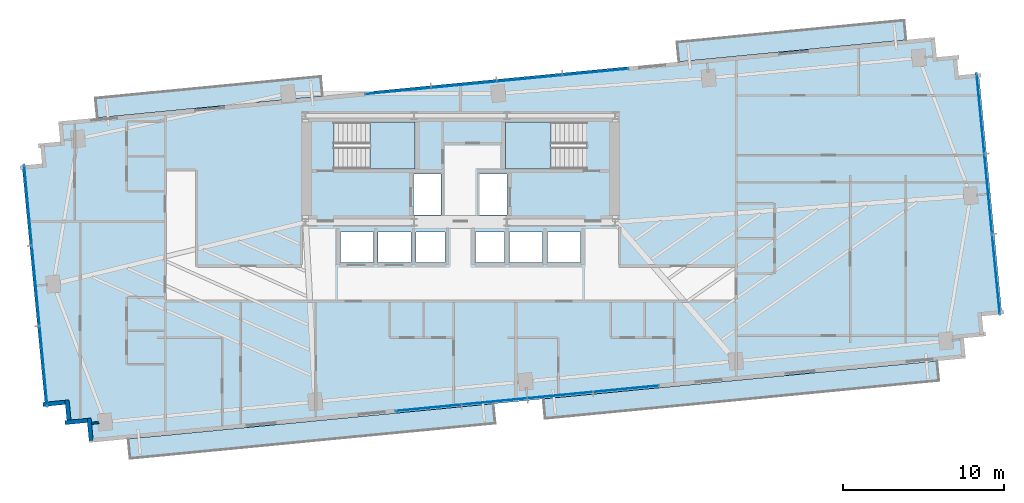
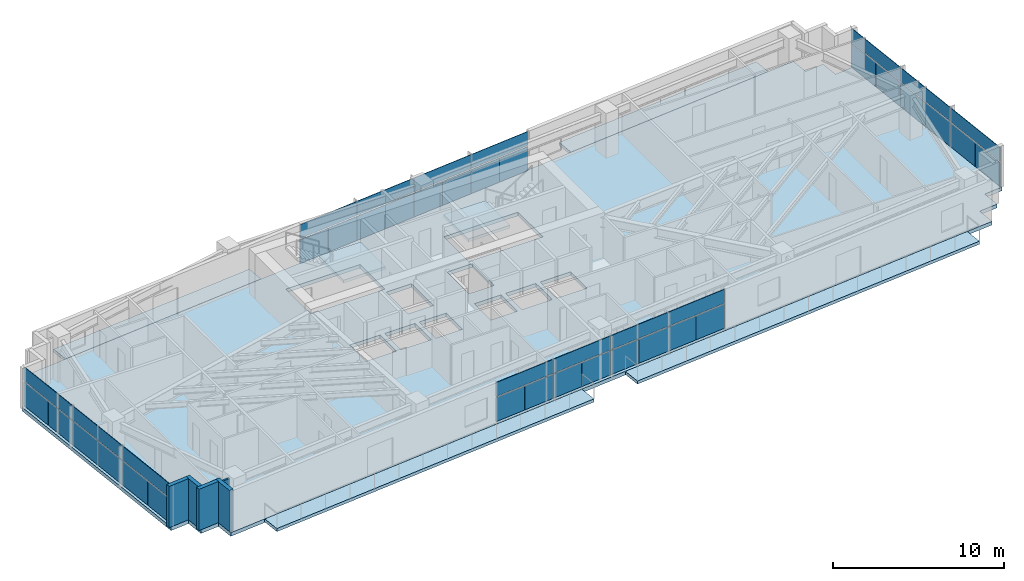
# One storey, part 20 of 27: 42 plates, 7 slabs, 5 walls, 6 elements without a shape of their own.
"""IFC4 building model written with IfcOpenShell, lengths in metres."""

from ifc_helpers import new_model, si_unit, direction, frame, frame_2d, origin, origin_2d, place, context, subcontext, project, spatial, polyline, rectangle, outline, extrude, source, transform, mapped, material, layer, layer_set, type_object, type_shapes, element, aggregate, save


model = new_model("IFC4")

# Units and contexts
model_context = context("Model", 3, precision=1e-05, world=origin(), true_north=direction((0.0, 1.0)))
body_context = subcontext(model_context, "Body", "Model", "MODEL_VIEW")
ifc_project = project(units=[si_unit("LENGTHUNIT", "METRE"), si_unit("AREAUNIT", "SQUARE_METRE"), si_unit("VOLUMEUNIT", "CUBIC_METRE"), si_unit("PLANEANGLEUNIT", "RADIAN"), si_unit("MASSUNIT", "GRAM", prefix="KILO")], contexts=[model_context])

# Site, building, storey
site_placement = place(None, origin())
site = spatial("IfcSite", under=ifc_project, at=site_placement, CompositionType="ELEMENT")
building_placement = place(site_placement, origin())
building = spatial("IfcBuilding", under=site, at=building_placement, Name="Astriad Promenade Condominiums", CompositionType="ELEMENT")
storey_placement = place(building_placement, frame((0.0, 0.0, 90.60009765625)))
storey = spatial("IfcBuildingStorey", under=building, at=storey_placement, Name="L25", CompositionType="ELEMENT", Elevation=90.60009765625)

# Slab
ifc_material_1 = material(Name="Concrete C50/60", Category="concrete")
ifc_layer_1 = layer(ifc_material_1, 0.260009765625)
ifc_layer_set_1 = layer_set([ifc_layer_1], Name="Concrete C50/60")
slab_type_1 = type_object("IfcSlabType", Name="CONCRETE TOWER FLOOR SLAB 260", PredefinedType="FLOOR", material=ifc_layer_set_1)
slab_1_placement = place(storey_placement, frame((0.0, 0.0, -0.260009765625)))
element("IfcSlab", 1, at=slab_1_placement, inside=storey, type_object=slab_type_1, Name="Structural Floor Slab (L25)", PredefinedType="FLOOR", context=body_context, shape_type="SweptSolid", body=[
    extrude(outline(polyline([(12.984130859375, 3.7294921875), (67.332763671875, 8.962646484375), (67.212890625, 10.206787109375), (68.457275390625, 10.32666015625), (68.33740234375, 11.57080078125), (69.58154296875, 11.690673828125), (68.14404296875, 26.62158203125), (66.899658203125, 26.501953125), (66.77978515625, 27.74609375), (65.53564453125, 27.626220703125), (65.416015625, 28.87060546875), (11.067138671875, 23.637451171875), (11.18701171875, 22.39306640625), (9.94287109375, 22.273193359375), (10.0625, 21.029052734375), (8.818359375, 20.9091796875), (10.256103515625, 5.978271484375), (11.500244140625, 6.09814453125), (11.6201171875, 4.85400390625), (12.8642578125, 4.9736328125), (12.984130859375, 3.7294921875)]), holes=[polyline([(28.175048828125, 20.699951171875), (33.175048828125, 20.699951171875), (33.175048828125, 23.60009765625), (28.175048828125, 23.60009765625), (28.175048828125, 20.699951171875)]), polyline([(38.824951171875, 20.699951171875), (43.824951171875, 20.699951171875), (43.824951171875, 23.60009765625), (38.824951171875, 23.60009765625), (38.824951171875, 20.699951171875)]), polyline([(33.10009765625, 17.85009765625), (34.800048828125, 17.85009765625), (34.800048828125, 20.39990234375), (33.10009765625, 20.39990234375), (33.10009765625, 17.85009765625)]), polyline([(37.199951171875, 17.85009765625), (38.89990234375, 17.85009765625), (38.89990234375, 20.39990234375), (37.199951171875, 20.39990234375), (37.199951171875, 17.85009765625)]), polyline([(28.550048828125, 14.89990234375), (30.60009765625, 14.89990234375), (30.60009765625, 16.800048828125), (28.550048828125, 16.800048828125), (28.550048828125, 14.89990234375)]), polyline([(30.89990234375, 14.89990234375), (32.949951171875, 14.89990234375), (32.949951171875, 16.800048828125), (30.89990234375, 16.800048828125), (30.89990234375, 14.89990234375)]), polyline([(33.25, 14.89990234375), (35.050048828125, 14.89990234375), (35.050048828125, 16.800048828125), (33.25, 16.800048828125), (33.25, 14.89990234375)]), polyline([(36.949951171875, 14.89990234375), (38.75, 14.89990234375), (38.75, 16.800048828125), (36.949951171875, 16.800048828125), (36.949951171875, 14.89990234375)]), polyline([(39.050048828125, 14.89990234375), (41.10009765625, 14.89990234375), (41.10009765625, 16.800048828125), (39.050048828125, 16.800048828125), (39.050048828125, 14.89990234375)]), polyline([(41.39990234375, 14.89990234375), (43.449951171875, 14.89990234375), (43.449951171875, 16.800048828125), (41.39990234375, 16.800048828125), (41.39990234375, 14.89990234375)])]), origin(), (0.0, 0.0, 1.0), 0.260009765625),
])

# Stair, slab
stair_type = type_object("IfcStairType", Name="STR-CORE-1350", PredefinedType="HALF_TURN_STAIR", material=ifc_material_1)
stair_1_placement = place(storey_placement, origin())
stair_1 = element("IfcStair", 2, at=stair_1_placement, inside=storey, type_object=stair_type, Name="L25 Enclosed Core Exit Stair ST-1", PredefinedType="HALF_TURN_STAIR")
ifc_layer_2 = layer(ifc_material_1, 0.219970703125)
ifc_layer_set_2 = layer_set([ifc_layer_2], Name="Concrete C50/60")
slab_type_2 = type_object("IfcSlabType", Name="SLB-LANDING-220", PredefinedType="LANDING", material=ifc_layer_set_2)
slab_2_placement = place(storey_placement, frame((0.0, 0.0, 1.39990234375)))
slab_2 = element("IfcSlab", 3, at=slab_2_placement, type_object=slab_type_2, Name="ST-1 landing 1", PredefinedType="LANDING", context=body_context, shape_type="SweptSolid", body=[
    extrude(outline(polyline([(30.389892578125, 20.699951171875), (33.199951171875, 20.699951171875), (33.199951171875, 23.60009765625), (30.389892578125, 23.60009765625), (30.389892578125, 20.699951171875)])), origin(), (0.0, 0.0, 1.0), 0.199951171875),
])
aggregate(stair_1, [slab_2])

stair_2_placement = place(storey_placement, origin())
stair_2 = element("IfcStair", 4, at=stair_2_placement, inside=storey, type_object=stair_type, Name="L25 Enclosed Core Exit Stair ST-2", PredefinedType="HALF_TURN_STAIR")
slab_3_placement = place(storey_placement, frame((0.0, 0.0, 1.39990234375)))
slab_3 = element("IfcSlab", 5, at=slab_3_placement, type_object=slab_type_2, Name="ST-2 landing 1", PredefinedType="LANDING", context=body_context, shape_type="SweptSolid", body=[
    extrude(outline(polyline([(41.610107421875, 23.60009765625), (38.800048828125, 23.60009765625), (38.800048828125, 20.699951171875), (41.610107421875, 20.699951171875), (41.610107421875, 23.60009765625)])), origin(), (0.0, 0.0, 1.0), 0.199951171875),
])
aggregate(stair_2, [slab_3])

# Slabs
ifc_material_2 = material(Name="Precast concrete C50/60", Category="concrete")
ifc_layer_3 = layer(ifc_material_2, 0.219970703125)
ifc_layer_set_3 = layer_set([ifc_layer_3], Name="Precast concrete C50/60")
slab_type_3 = type_object("IfcSlabType", Name="WHITE PRECAST CONCRETE WAVE BALCONY SLAB 220", PredefinedType="FLOOR", material=ifc_layer_set_3)
slab_4_placement = place(storey_placement, frame((0.0, 0.0, -0.22021484375)))
element("IfcSlab", 6, at=slab_4_placement, inside=storey, type_object=slab_type_3, Name="White Precast Wave Balcony Slab BAL-L25-SW", PredefinedType="FLOOR", context=body_context, shape_type="SweptSolid", body=[
    extrude(outline(polyline([(38.1572265625, 4.927734375), (15.52392578125, 2.748291015625), (15.406982421875, 3.960693359375), (38.04052734375, 6.14013671875), (38.1572265625, 4.927734375)])), origin(), (0.0, 0.0, 1.0), 0.22021484375),
])
slab_5_placement = place(storey_placement, frame((0.0, 0.0, -0.22021484375)))
element("IfcSlab", 7, at=slab_5_placement, inside=storey, type_object=slab_type_3, Name="White Precast Wave Balcony Slab BAL-L25-SE", PredefinedType="FLOOR", context=body_context, shape_type="SweptSolid", body=[
    extrude(outline(polyline([(65.671875, 7.5771484375), (41.264892578125, 5.226806640625), (41.148193359375, 6.439208984375), (65.55517578125, 8.789306640625), (65.671875, 7.5771484375)])), origin(), (0.0, 0.0, 1.0), 0.22021484375),
])
slab_6_placement = place(storey_placement, frame((0.0, 0.0, -0.22021484375)))
element("IfcSlab", 8, at=slab_6_placement, inside=storey, type_object=slab_type_3, Name="White Precast Wave Balcony Slab BAL-L25-NW", PredefinedType="FLOOR", context=body_context, shape_type="SweptSolid", body=[
    extrude(outline(polyline([(13.373046875, 25.0849609375), (27.33447265625, 26.429443359375), (27.451171875, 25.217041015625), (13.48974609375, 23.872802734375), (13.373046875, 25.0849609375)])), origin(), (0.0, 0.0, 1.0), 0.22021484375),
])
slab_7_placement = place(storey_placement, frame((0.0, 0.0, -0.22021484375)))
element("IfcSlab", 9, at=slab_7_placement, inside=storey, type_object=slab_type_3, Name="White Precast Wave Balcony Slab BAL-L25-NE", PredefinedType="FLOOR", context=body_context, shape_type="SweptSolid", body=[
    extrude(outline(polyline([(49.4423828125, 28.55810546875), (63.52099609375, 29.913818359375), (63.637939453125, 28.701416015625), (49.55908203125, 27.345703125), (49.4423828125, 28.55810546875)])), origin(), (0.0, 0.0, 1.0), 0.22021484375),
])

# Curtain wall, plates
ifc_material_3 = material(Name="Anodised aluminium Black Dark Glass Unitised", Category="aluminium")
curtain_wall_type = type_object("IfcCurtainWallType", Name="CW-B2-DARK", PredefinedType="USERDEFINED", material=ifc_material_3)
curtain_wall_1_placement = place(storey_placement, origin())
curtain_wall_1 = element("IfcCurtainWall", 10, at=curtain_wall_1_placement, inside=storey, type_object=curtain_wall_type, Name="CW-L25-W", ObjectType="UNITISED_CURTAIN_WALL", PredefinedType="USERDEFINED")
ifc_material_4 = material(Name="Dark Tinted Low-E Laminated Glass", Category="glass")
ifc_layer_4 = layer(ifc_material_4, 0.035888671875)
ifc_layer_set_4 = layer_set([ifc_layer_4], Name="Dark Tinted Low-E Laminated Glass")
plate_type = type_object("IfcPlateType", Name="PNL-DARK-GLASS-36", PredefinedType="CURTAIN_PANEL", material=ifc_layer_set_4)
shared_shape_1 = source(origin(), body_context, "Body", "SweptSolid", [
    extrude(rectangle(XDim=2.488037109375, YDim=0.035888671875, at=origin_2d()), origin(), (0.0, 0.0, 1.0), 1.702880859375),
])
plate_1_placement = place(storey_placement, frame((10.265625, 7.235107421875, 0.080078125), z_axis=(0.0, 0.0, 1.0), x_axis=(-0.09584575252, 0.995396198367, 0.0)))
plate_1 = element("IfcPlate", 11, at=plate_1_placement, type_object=plate_type, Name="CW-L25-W-PNL-00-VL", PredefinedType="CURTAIN_PANEL", context=body_context, shape_type="MappedRepresentation", body=[
    mapped(shared_shape_1, transform((0.0, 0.0, 0.0), scale=1.0)),
])
plate_2_placement = place(storey_placement, frame((10.02587890625, 9.723388671875, 0.080078125), z_axis=(0.0, 0.0, 1.0), x_axis=(-0.09584575252, 0.995396198367, 0.0)))
plate_2 = element("IfcPlate", 12, at=plate_2_placement, type_object=plate_type, Name="CW-L25-W-PNL-00-VR", PredefinedType="CURTAIN_PANEL", context=body_context, shape_type="MappedRepresentation", body=[
    mapped(shared_shape_1, transform((0.0, 0.0, 0.0), scale=1.0)),
])
plate_3_placement = place(storey_placement, frame((9.786376953125, 12.212158203125, 0.080078125), z_axis=(0.0, 0.0, 1.0), x_axis=(-0.09584575252, 0.995396198367, 0.0)))
plate_3 = element("IfcPlate", 13, at=plate_3_placement, type_object=plate_type, Name="CW-L25-W-PNL-01-VL", PredefinedType="CURTAIN_PANEL", context=body_context, shape_type="MappedRepresentation", body=[
    mapped(shared_shape_1, transform((0.0, 0.0, 0.0), scale=1.0)),
])
plate_4_placement = place(storey_placement, frame((9.546875, 14.700439453125, 0.080078125), z_axis=(0.0, 0.0, 1.0), x_axis=(-0.09584575252, 0.995396198367, 0.0)))
plate_4 = element("IfcPlate", 14, at=plate_4_placement, type_object=plate_type, Name="CW-L25-W-PNL-01-VR", PredefinedType="CURTAIN_PANEL", context=body_context, shape_type="MappedRepresentation", body=[
    mapped(shared_shape_1, transform((0.0, 0.0, 0.0), scale=1.0)),
])
plate_5_placement = place(storey_placement, frame((9.30712890625, 17.189208984375, 0.080078125), z_axis=(0.0, 0.0, 1.0), x_axis=(-0.09584575252, 0.995396198367, 0.0)))
plate_5 = element("IfcPlate", 15, at=plate_5_placement, type_object=plate_type, Name="CW-L25-W-PNL-02-VL", PredefinedType="CURTAIN_PANEL", context=body_context, shape_type="MappedRepresentation", body=[
    mapped(shared_shape_1, transform((0.0, 0.0, 0.0), scale=1.0)),
])
plate_6_placement = place(storey_placement, frame((9.067626953125, 19.677490234375, 0.080078125), z_axis=(0.0, 0.0, 1.0), x_axis=(-0.09584575252, 0.995396198367, 0.0)))
plate_6 = element("IfcPlate", 16, at=plate_6_placement, type_object=plate_type, Name="CW-L25-W-PNL-02-VR", PredefinedType="CURTAIN_PANEL", context=body_context, shape_type="MappedRepresentation", body=[
    mapped(shared_shape_1, transform((0.0, 0.0, 0.0), scale=1.0)),
])

curtain_wall_2_placement = place(storey_placement, origin())
curtain_wall_2 = element("IfcCurtainWall", 17, at=curtain_wall_2_placement, inside=storey, type_object=curtain_wall_type, Name="CW-L25-E", ObjectType="UNITISED_CURTAIN_WALL", PredefinedType="USERDEFINED")
plate_7_placement = place(storey_placement, frame((68.134521484375, 25.364990234375, 0.080078125), z_axis=(0.0, 0.0, 1.0), x_axis=(0.09584575252, -0.995396198367, 0.0)))
plate_7 = element("IfcPlate", 18, at=plate_7_placement, type_object=plate_type, Name="CW-L25-E-PNL-00-VL", PredefinedType="CURTAIN_PANEL", context=body_context, shape_type="MappedRepresentation", body=[
    mapped(shared_shape_1, transform((0.0, 0.0, 0.0), scale=1.0)),
])
plate_8_placement = place(storey_placement, frame((68.3740234375, 22.87646484375, 0.080078125), z_axis=(0.0, 0.0, 1.0), x_axis=(0.09584575252, -0.995396198367, 0.0)))
plate_8 = element("IfcPlate", 19, at=plate_8_placement, type_object=plate_type, Name="CW-L25-E-PNL-00-VR", PredefinedType="CURTAIN_PANEL", context=body_context, shape_type="MappedRepresentation", body=[
    mapped(shared_shape_1, transform((0.0, 0.0, 0.0), scale=1.0)),
])
plate_9_placement = place(storey_placement, frame((68.613525390625, 20.387939453125, 0.080078125), z_axis=(0.0, 0.0, 1.0), x_axis=(0.09584575252, -0.995396198367, 0.0)))
plate_9 = element("IfcPlate", 20, at=plate_9_placement, type_object=plate_type, Name="CW-L25-E-PNL-01-VL", PredefinedType="CURTAIN_PANEL", context=body_context, shape_type="MappedRepresentation", body=[
    mapped(shared_shape_1, transform((0.0, 0.0, 0.0), scale=1.0)),
])
plate_10_placement = place(storey_placement, frame((68.853271484375, 17.8994140625, 0.080078125), z_axis=(0.0, 0.0, 1.0), x_axis=(0.09584575252, -0.995396198367, 0.0)))
plate_10 = element("IfcPlate", 21, at=plate_10_placement, type_object=plate_type, Name="CW-L25-E-PNL-01-VR", PredefinedType="CURTAIN_PANEL", context=body_context, shape_type="MappedRepresentation", body=[
    mapped(shared_shape_1, transform((0.0, 0.0, 0.0), scale=1.0)),
])
plate_11_placement = place(storey_placement, frame((69.0927734375, 15.410888671875, 0.080078125), z_axis=(0.0, 0.0, 1.0), x_axis=(0.09584575252, -0.995396198367, 0.0)))
plate_11 = element("IfcPlate", 22, at=plate_11_placement, type_object=plate_type, Name="CW-L25-E-PNL-02-VL", PredefinedType="CURTAIN_PANEL", context=body_context, shape_type="MappedRepresentation", body=[
    mapped(shared_shape_1, transform((0.0, 0.0, 0.0), scale=1.0)),
])
plate_12_placement = place(storey_placement, frame((69.33251953125, 12.922607421875, 0.080078125), z_axis=(0.0, 0.0, 1.0), x_axis=(0.09584575252, -0.995396198367, 0.0)))
plate_12 = element("IfcPlate", 23, at=plate_12_placement, type_object=plate_type, Name="CW-L25-E-PNL-02-VR", PredefinedType="CURTAIN_PANEL", context=body_context, shape_type="MappedRepresentation", body=[
    mapped(shared_shape_1, transform((0.0, 0.0, 0.0), scale=1.0)),
])

# Plate
shared_shape_2 = source(origin(), body_context, "Body", "SweptSolid", [
    extrude(rectangle(XDim=4.988037109375, YDim=0.035888671875, at=origin_2d()), origin(), (0.0, 0.0, 1.0), 0.997314453125),
])
plate_13_placement = place(storey_placement, frame((10.145751953125, 8.479248046875, 1.86279296875), z_axis=(0.0, 0.0, 1.0), x_axis=(-0.09584575252, 0.995396198367, 0.0)))
plate_13 = element("IfcPlate", 24, at=plate_13_placement, type_object=plate_type, Name="CW-L25-W-PNL-00-S", PredefinedType="CURTAIN_PANEL", context=body_context, shape_type="MappedRepresentation", body=[
    mapped(shared_shape_2, transform((0.0, 0.0, 0.0), scale=1.0)),
])

plate_14_placement = place(storey_placement, frame((9.66650390625, 13.456298828125, 1.86279296875), z_axis=(0.0, 0.0, 1.0), x_axis=(-0.09584575252, 0.995396198367, 0.0)))
plate_14 = element("IfcPlate", 25, at=plate_14_placement, type_object=plate_type, Name="CW-L25-W-PNL-01-S", PredefinedType="CURTAIN_PANEL", context=body_context, shape_type="MappedRepresentation", body=[
    mapped(shared_shape_2, transform((0.0, 0.0, 0.0), scale=1.0)),
])

plate_15_placement = place(storey_placement, frame((9.1875, 18.433349609375, 1.86279296875), z_axis=(0.0, 0.0, 1.0), x_axis=(-0.09584575252, 0.995396198367, 0.0)))
plate_15 = element("IfcPlate", 26, at=plate_15_placement, type_object=plate_type, Name="CW-L25-W-PNL-02-S", PredefinedType="CURTAIN_PANEL", context=body_context, shape_type="MappedRepresentation", body=[
    mapped(shared_shape_2, transform((0.0, 0.0, 0.0), scale=1.0)),
])

aggregate(curtain_wall_1, [plate_1, plate_2, plate_13, plate_3, plate_4, plate_14, plate_5, plate_6, plate_15])

plate_16_placement = place(storey_placement, frame((68.254150390625, 24.12060546875, 1.86279296875), z_axis=(0.0, 0.0, 1.0), x_axis=(0.09584575252, -0.995396198367, 0.0)))
plate_16 = element("IfcPlate", 27, at=plate_16_placement, type_object=plate_type, Name="CW-L25-E-PNL-00-S", PredefinedType="CURTAIN_PANEL", context=body_context, shape_type="MappedRepresentation", body=[
    mapped(shared_shape_2, transform((0.0, 0.0, 0.0), scale=1.0)),
])

plate_17_placement = place(storey_placement, frame((68.7333984375, 19.143798828125, 1.86279296875), z_axis=(0.0, 0.0, 1.0), x_axis=(0.09584575252, -0.995396198367, 0.0)))
plate_17 = element("IfcPlate", 28, at=plate_17_placement, type_object=plate_type, Name="CW-L25-E-PNL-01-S", PredefinedType="CURTAIN_PANEL", context=body_context, shape_type="MappedRepresentation", body=[
    mapped(shared_shape_2, transform((0.0, 0.0, 0.0), scale=1.0)),
])

plate_18_placement = place(storey_placement, frame((69.212646484375, 14.166748046875, 1.86279296875), z_axis=(0.0, 0.0, 1.0), x_axis=(0.09584575252, -0.995396198367, 0.0)))
plate_18 = element("IfcPlate", 29, at=plate_18_placement, type_object=plate_type, Name="CW-L25-E-PNL-02-S", PredefinedType="CURTAIN_PANEL", context=body_context, shape_type="MappedRepresentation", body=[
    mapped(shared_shape_2, transform((0.0, 0.0, 0.0), scale=1.0)),
])

aggregate(curtain_wall_2, [plate_7, plate_8, plate_16, plate_9, plate_10, plate_17, plate_11, plate_12, plate_18])

# Curtain wall, plates
curtain_wall_3_placement = place(storey_placement, origin())
curtain_wall_3 = element("IfcCurtainWall", 30, at=curtain_wall_3_placement, inside=storey, type_object=curtain_wall_type, Name="CW-L25-N", ObjectType="UNITISED_CURTAIN_WALL", PredefinedType="USERDEFINED")
shared_shape_3 = source(origin(), body_context, "Body", "SweptSolid", [
    extrude(rectangle(XDim=2.035400390625, YDim=0.035888671875, at=origin_2d()), origin(), (0.0, 0.0, 1.0), 1.702880859375),
])
plate_19_placement = place(storey_placement, frame((31.12060546875, 25.437744140625, 0.080078125), z_axis=(0.0, 0.0, 1.0), x_axis=(0.995396198367, 0.09584575252, 0.0)))
plate_19 = element("IfcPlate", 31, at=plate_19_placement, type_object=plate_type, Name="CW-L25-N-PNL-00-VL", PredefinedType="CURTAIN_PANEL", context=body_context, shape_type="MappedRepresentation", body=[
    mapped(shared_shape_3, transform((0.0, 0.0, 0.0), scale=1.0)),
])
plate_20_placement = place(storey_placement, frame((33.15869140625, 25.634033203125, 0.080078125), z_axis=(0.0, 0.0, 1.0), x_axis=(0.995396198367, 0.09584575252, 0.0)))
plate_20 = element("IfcPlate", 32, at=plate_20_placement, type_object=plate_type, Name="CW-L25-N-PNL-00-VR", PredefinedType="CURTAIN_PANEL", context=body_context, shape_type="MappedRepresentation", body=[
    mapped(shared_shape_3, transform((0.0, 0.0, 0.0), scale=1.0)),
])
plate_21_placement = place(storey_placement, frame((35.19677734375, 25.830078125, 0.080078125), z_axis=(0.0, 0.0, 1.0), x_axis=(0.995396198367, 0.09584575252, 0.0)))
plate_21 = element("IfcPlate", 33, at=plate_21_placement, type_object=plate_type, Name="CW-L25-N-PNL-01-VL", PredefinedType="CURTAIN_PANEL", context=body_context, shape_type="MappedRepresentation", body=[
    mapped(shared_shape_3, transform((0.0, 0.0, 0.0), scale=1.0)),
])
plate_22_placement = place(storey_placement, frame((37.23486328125, 26.026611328125, 0.080078125), z_axis=(0.0, 0.0, 1.0), x_axis=(0.995396198367, 0.09584575252, 0.0)))
plate_22 = element("IfcPlate", 34, at=plate_22_placement, type_object=plate_type, Name="CW-L25-N-PNL-01-VR", PredefinedType="CURTAIN_PANEL", context=body_context, shape_type="MappedRepresentation", body=[
    mapped(shared_shape_3, transform((0.0, 0.0, 0.0), scale=1.0)),
])
plate_23_placement = place(storey_placement, frame((39.27294921875, 26.22265625, 0.080078125), z_axis=(0.0, 0.0, 1.0), x_axis=(0.995396198367, 0.09584575252, 0.0)))
plate_23 = element("IfcPlate", 35, at=plate_23_placement, type_object=plate_type, Name="CW-L25-N-PNL-02-VL", PredefinedType="CURTAIN_PANEL", context=body_context, shape_type="MappedRepresentation", body=[
    mapped(shared_shape_3, transform((0.0, 0.0, 0.0), scale=1.0)),
])
plate_24_placement = place(storey_placement, frame((41.31103515625, 26.4189453125, 0.080078125), z_axis=(0.0, 0.0, 1.0), x_axis=(0.995396198367, 0.09584575252, 0.0)))
plate_24 = element("IfcPlate", 36, at=plate_24_placement, type_object=plate_type, Name="CW-L25-N-PNL-02-VR", PredefinedType="CURTAIN_PANEL", context=body_context, shape_type="MappedRepresentation", body=[
    mapped(shared_shape_3, transform((0.0, 0.0, 0.0), scale=1.0)),
])
plate_25_placement = place(storey_placement, frame((43.34912109375, 26.615234375, 0.080078125), z_axis=(0.0, 0.0, 1.0), x_axis=(0.995396198367, 0.09584575252, 0.0)))
plate_25 = element("IfcPlate", 37, at=plate_25_placement, type_object=plate_type, Name="CW-L25-N-PNL-03-VL", PredefinedType="CURTAIN_PANEL", context=body_context, shape_type="MappedRepresentation", body=[
    mapped(shared_shape_3, transform((0.0, 0.0, 0.0), scale=1.0)),
])
plate_26_placement = place(storey_placement, frame((45.38720703125, 26.8115234375, 0.080078125), z_axis=(0.0, 0.0, 1.0), x_axis=(0.995396198367, 0.09584575252, 0.0)))
plate_26 = element("IfcPlate", 38, at=plate_26_placement, type_object=plate_type, Name="CW-L25-N-PNL-03-VR", PredefinedType="CURTAIN_PANEL", context=body_context, shape_type="MappedRepresentation", body=[
    mapped(shared_shape_3, transform((0.0, 0.0, 0.0), scale=1.0)),
])

curtain_wall_4_placement = place(storey_placement, origin())
curtain_wall_4 = element("IfcCurtainWall", 39, at=curtain_wall_4_placement, inside=storey, type_object=curtain_wall_type, Name="CW-L25-S", ObjectType="UNITISED_CURTAIN_WALL", PredefinedType="USERDEFINED")
plate_27_placement = place(storey_placement, frame((47.279296875, 7.162353515625, 0.080078125), z_axis=(0.0, 0.0, 1.0), x_axis=(-0.995396198367, -0.09584575252, 0.0)))
plate_27 = element("IfcPlate", 40, at=plate_27_placement, type_object=plate_type, Name="CW-L25-S-PNL-00-VL", PredefinedType="CURTAIN_PANEL", context=body_context, shape_type="MappedRepresentation", body=[
    mapped(shared_shape_3, transform((0.0, 0.0, 0.0), scale=1.0)),
])
plate_28_placement = place(storey_placement, frame((45.2412109375, 6.966064453125, 0.080078125), z_axis=(0.0, 0.0, 1.0), x_axis=(-0.995396198367, -0.09584575252, 0.0)))
plate_28 = element("IfcPlate", 41, at=plate_28_placement, type_object=plate_type, Name="CW-L25-S-PNL-00-VR", PredefinedType="CURTAIN_PANEL", context=body_context, shape_type="MappedRepresentation", body=[
    mapped(shared_shape_3, transform((0.0, 0.0, 0.0), scale=1.0)),
])
plate_29_placement = place(storey_placement, frame((43.203125, 6.769775390625, 0.080078125), z_axis=(0.0, 0.0, 1.0), x_axis=(-0.995396198367, -0.09584575252, 0.0)))
plate_29 = element("IfcPlate", 42, at=plate_29_placement, type_object=plate_type, Name="CW-L25-S-PNL-01-VL", PredefinedType="CURTAIN_PANEL", context=body_context, shape_type="MappedRepresentation", body=[
    mapped(shared_shape_3, transform((0.0, 0.0, 0.0), scale=1.0)),
])
plate_30_placement = place(storey_placement, frame((41.1650390625, 6.573486328125, 0.080078125), z_axis=(0.0, 0.0, 1.0), x_axis=(-0.995396198367, -0.09584575252, 0.0)))
plate_30 = element("IfcPlate", 43, at=plate_30_placement, type_object=plate_type, Name="CW-L25-S-PNL-01-VR", PredefinedType="CURTAIN_PANEL", context=body_context, shape_type="MappedRepresentation", body=[
    mapped(shared_shape_3, transform((0.0, 0.0, 0.0), scale=1.0)),
])
plate_31_placement = place(storey_placement, frame((39.126953125, 6.377197265625, 0.080078125), z_axis=(0.0, 0.0, 1.0), x_axis=(-0.995396198367, -0.09584575252, 0.0)))
plate_31 = element("IfcPlate", 44, at=plate_31_placement, type_object=plate_type, Name="CW-L25-S-PNL-02-VL", PredefinedType="CURTAIN_PANEL", context=body_context, shape_type="MappedRepresentation", body=[
    mapped(shared_shape_3, transform((0.0, 0.0, 0.0), scale=1.0)),
])
plate_32_placement = place(storey_placement, frame((37.0888671875, 6.180908203125, 0.080078125), z_axis=(0.0, 0.0, 1.0), x_axis=(-0.995396198367, -0.09584575252, 0.0)))
plate_32 = element("IfcPlate", 45, at=plate_32_placement, type_object=plate_type, Name="CW-L25-S-PNL-02-VR", PredefinedType="CURTAIN_PANEL", context=body_context, shape_type="MappedRepresentation", body=[
    mapped(shared_shape_3, transform((0.0, 0.0, 0.0), scale=1.0)),
])
plate_33_placement = place(storey_placement, frame((35.05078125, 5.98486328125, 0.080078125), z_axis=(0.0, 0.0, 1.0), x_axis=(-0.995396198367, -0.09584575252, 0.0)))
plate_33 = element("IfcPlate", 46, at=plate_33_placement, type_object=plate_type, Name="CW-L25-S-PNL-03-VL", PredefinedType="CURTAIN_PANEL", context=body_context, shape_type="MappedRepresentation", body=[
    mapped(shared_shape_3, transform((0.0, 0.0, 0.0), scale=1.0)),
])
plate_34_placement = place(storey_placement, frame((33.0126953125, 5.78857421875, 0.080078125), z_axis=(0.0, 0.0, 1.0), x_axis=(-0.995396198367, -0.09584575252, 0.0)))
plate_34 = element("IfcPlate", 47, at=plate_34_placement, type_object=plate_type, Name="CW-L25-S-PNL-03-VR", PredefinedType="CURTAIN_PANEL", context=body_context, shape_type="MappedRepresentation", body=[
    mapped(shared_shape_3, transform((0.0, 0.0, 0.0), scale=1.0)),
])

# Plate
shared_shape_4 = source(origin(), body_context, "Body", "SweptSolid", [
    extrude(rectangle(XDim=4.0830078125, YDim=0.035888671875, at=origin_2d()), origin(), (0.0, 0.0, 1.0), 0.997314453125),
])
type_shapes(plate_type, [shared_shape_1, shared_shape_2, shared_shape_3, shared_shape_4])
plate_35_placement = place(storey_placement, frame((32.1396484375, 25.535888671875, 1.86279296875), z_axis=(0.0, 0.0, 1.0), x_axis=(0.995396198367, 0.09584575252, 0.0)))
plate_35 = element("IfcPlate", 48, at=plate_35_placement, type_object=plate_type, Name="CW-L25-N-PNL-00-S", PredefinedType="CURTAIN_PANEL", context=body_context, shape_type="MappedRepresentation", body=[
    mapped(shared_shape_4, transform((0.0, 0.0, 0.0), scale=1.0)),
])

plate_36_placement = place(storey_placement, frame((36.2158203125, 25.928466796875, 1.86279296875), z_axis=(0.0, 0.0, 1.0), x_axis=(0.995396198367, 0.09584575252, 0.0)))
plate_36 = element("IfcPlate", 49, at=plate_36_placement, type_object=plate_type, Name="CW-L25-N-PNL-01-S", PredefinedType="CURTAIN_PANEL", context=body_context, shape_type="MappedRepresentation", body=[
    mapped(shared_shape_4, transform((0.0, 0.0, 0.0), scale=1.0)),
])

plate_37_placement = place(storey_placement, frame((40.2919921875, 26.32080078125, 1.86279296875), z_axis=(0.0, 0.0, 1.0), x_axis=(0.995396198367, 0.09584575252, 0.0)))
plate_37 = element("IfcPlate", 50, at=plate_37_placement, type_object=plate_type, Name="CW-L25-N-PNL-02-S", PredefinedType="CURTAIN_PANEL", context=body_context, shape_type="MappedRepresentation", body=[
    mapped(shared_shape_4, transform((0.0, 0.0, 0.0), scale=1.0)),
])

plate_38_placement = place(storey_placement, frame((44.368408203125, 26.71337890625, 1.86279296875), z_axis=(0.0, 0.0, 1.0), x_axis=(0.995396198367, 0.09584575252, 0.0)))
plate_38 = element("IfcPlate", 51, at=plate_38_placement, type_object=plate_type, Name="CW-L25-N-PNL-03-S", PredefinedType="CURTAIN_PANEL", context=body_context, shape_type="MappedRepresentation", body=[
    mapped(shared_shape_4, transform((0.0, 0.0, 0.0), scale=1.0)),
])

aggregate(curtain_wall_3, [plate_19, plate_20, plate_35, plate_21, plate_22, plate_36, plate_23, plate_24, plate_37, plate_25, plate_26, plate_38])

plate_39_placement = place(storey_placement, frame((46.26025390625, 7.064208984375, 1.86279296875), z_axis=(0.0, 0.0, 1.0), x_axis=(-0.995396198367, -0.09584575252, 0.0)))
plate_39 = element("IfcPlate", 52, at=plate_39_placement, type_object=plate_type, Name="CW-L25-S-PNL-00-S", PredefinedType="CURTAIN_PANEL", context=body_context, shape_type="MappedRepresentation", body=[
    mapped(shared_shape_4, transform((0.0, 0.0, 0.0), scale=1.0)),
])

plate_40_placement = place(storey_placement, frame((42.18408203125, 6.671630859375, 1.86279296875), z_axis=(0.0, 0.0, 1.0), x_axis=(-0.995396198367, -0.09584575252, 0.0)))
plate_40 = element("IfcPlate", 53, at=plate_40_placement, type_object=plate_type, Name="CW-L25-S-PNL-01-S", PredefinedType="CURTAIN_PANEL", context=body_context, shape_type="MappedRepresentation", body=[
    mapped(shared_shape_4, transform((0.0, 0.0, 0.0), scale=1.0)),
])

plate_41_placement = place(storey_placement, frame((38.10791015625, 6.279052734375, 1.86279296875), z_axis=(0.0, 0.0, 1.0), x_axis=(-0.995396198367, -0.09584575252, 0.0)))
plate_41 = element("IfcPlate", 54, at=plate_41_placement, type_object=plate_type, Name="CW-L25-S-PNL-02-S", PredefinedType="CURTAIN_PANEL", context=body_context, shape_type="MappedRepresentation", body=[
    mapped(shared_shape_4, transform((0.0, 0.0, 0.0), scale=1.0)),
])

plate_42_placement = place(storey_placement, frame((34.03173828125, 5.88671875, 1.86279296875), z_axis=(0.0, 0.0, 1.0), x_axis=(-0.995396198367, -0.09584575252, 0.0)))
plate_42 = element("IfcPlate", 55, at=plate_42_placement, type_object=plate_type, Name="CW-L25-S-PNL-03-S", PredefinedType="CURTAIN_PANEL", context=body_context, shape_type="MappedRepresentation", body=[
    mapped(shared_shape_4, transform((0.0, 0.0, 0.0), scale=1.0)),
])

aggregate(curtain_wall_4, [plate_27, plate_28, plate_39, plate_29, plate_30, plate_40, plate_31, plate_32, plate_41, plate_33, plate_34, plate_42])

# Walls
ifc_layer_5 = layer(ifc_material_2, 0.260009765625)
ifc_layer_set_5 = layer_set([ifc_layer_5], Name="Precast concrete C50/60")
wall_type_1 = type_object("IfcWallType", Name="WALL-EXT-TWR-260", PredefinedType="STANDARD", material=ifc_layer_set_5)
for number, where, z_axis, x_axis, name in (
    (56, (12.86669921875, 5.1044921875, 0.0), (0.0, 0.0, 1.0), (-0.995389446633, -0.095915846097, 0.0), "W-SER-L25-00"),
    (57, (11.738525390625, 4.98095703125, 0.0), (0.0, 0.0, 1.0), (-0.095915846097, 0.995389446633, 0.0), "W-SER-L25-01"),
):
    element("IfcWall", number, at=place(storey_placement, frame(where, z_axis=z_axis, x_axis=x_axis)), inside=storey, type_object=wall_type_1, Name=name, PredefinedType="STANDARD", context=body_context, shape_type="SweptSolid", body=[
        extrude(rectangle(XDim=1.394775390625, YDim=0.260009765625, at=frame_2d((0.697265625, 0.0))), origin(), (0.0, 0.0, 1.0), 2.93994140625),
    ])
for number, where, z_axis, x_axis, name in (
    (58, (11.502685546875, 6.22900390625, 0.0), (0.0, 0.0, 1.0), (-0.995391056452, -0.09589913835, 0.0), "W-SER-L25-02"),
    (59, (13.1025390625, 3.8564453125, 0.0), (0.0, 0.0, 1.0), (-0.09589913835, 0.995391056452, 0.0), "W-SER-L25-19"),
):
    element("IfcWall", number, at=place(storey_placement, frame(where, z_axis=z_axis, x_axis=x_axis)), inside=storey, type_object=wall_type_1, Name=name, PredefinedType="STANDARD", context=body_context, shape_type="SweptSolid", body=[
        extrude(rectangle(XDim=1.39501953125, YDim=0.260009765625, at=frame_2d((0.697509765625, 0.0))), origin(), (0.0, 0.0, 1.0), 2.93994140625),
    ])
ifc_material_5 = material(Name="Acoustic Metal-Stud Gypsum Partition")
ifc_layer_6 = layer(ifc_material_5, 0.1201171875)
ifc_layer_set_6 = layer_set([ifc_layer_6], Name="Acoustic Metal-Stud Gypsum Partition")
wall_type_2 = type_object("IfcWallType", Name="WALL-PART-120", PredefinedType="PARTITIONING", material=ifc_layer_set_6)
wall_placement = place(storey_placement, frame((13.587646484375, 4.972900390625, 0.0), z_axis=(0.0, 0.0, 1.0), x_axis=(-0.995435366701, -0.095438098896, 0.0)))
element("IfcWall", 60, at=wall_placement, inside=storey, type_object=wall_type_2, Name="PT-PIL-L25-PC01-8", PredefinedType="PARTITIONING", context=body_context, shape_type="SweptSolid", body=[
    extrude(rectangle(XDim=0.4580078125, YDim=0.1201171875, at=frame_2d((0.22900390625, 0.0))), origin(), (0.0, 0.0, 1.0), 2.93994140625),
])

save(model, "model.ifc")
